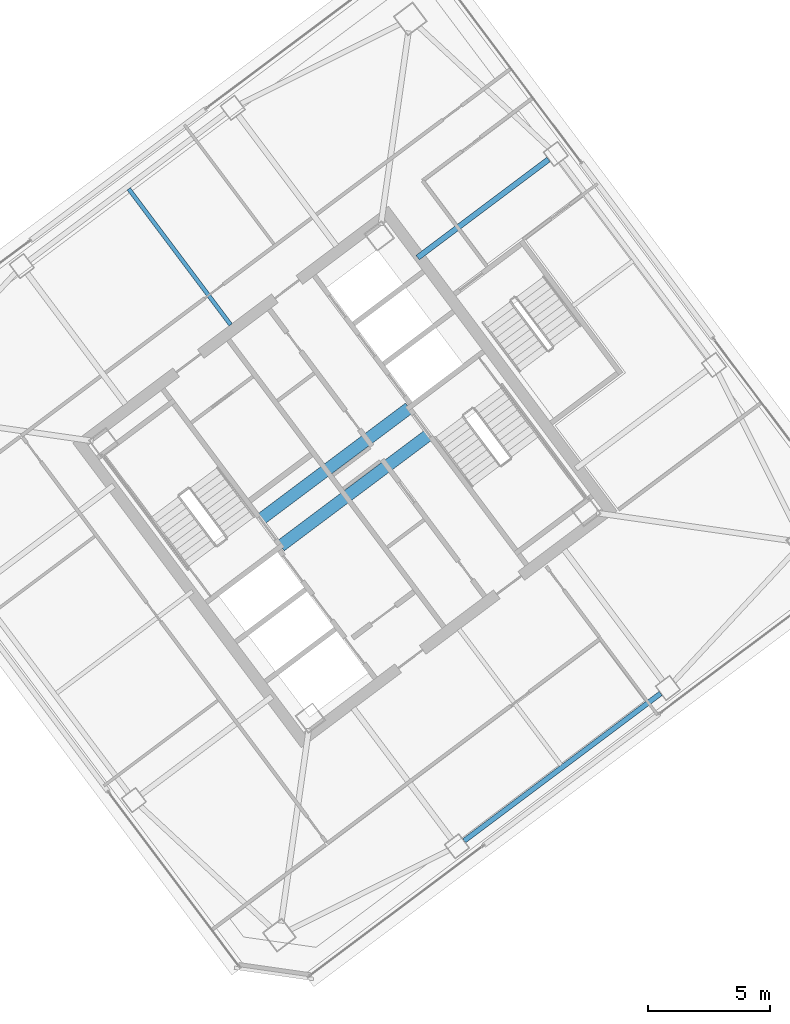
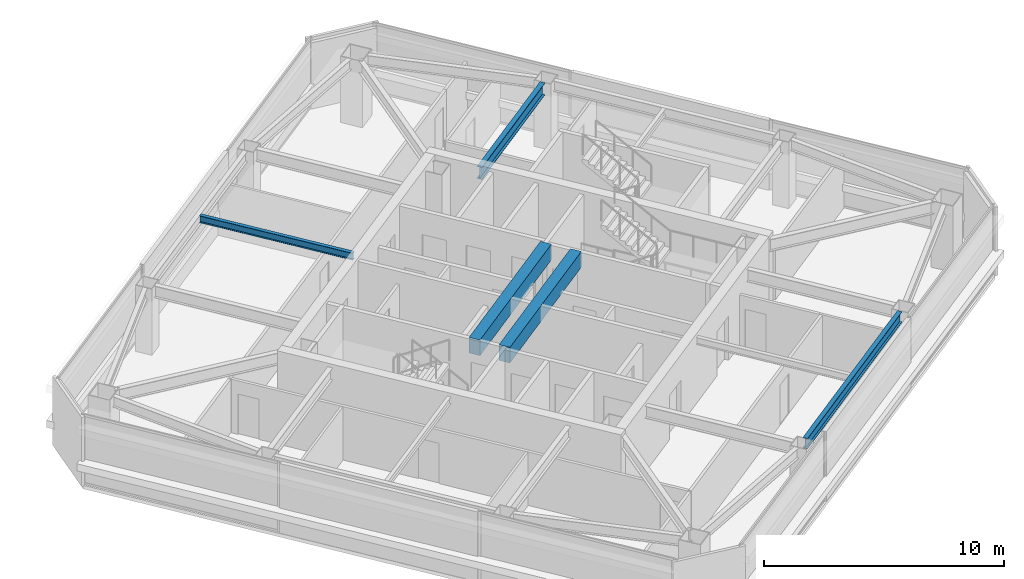
# One storey, part 22 of 39: 5 beams.
"""IFC4 building model written with IfcOpenShell, lengths in metres."""

import ifcopenshell
import ifcopenshell.guid

model = None  # the IFC model being written
_history = None  # IfcOwnerHistory: only IFC2X3 demands one
_inside = {}  # id of a spatial element -> (the spatial element, [elements in it])
_under = {}  # id of a project, library or spatial element -> (it, [spatial elements below it])
_declared = {}  # id of a project -> (the project, [libraries it declares])
_typed = {}  # id of a type object -> (the type object, [elements of that type])
_made_of = {}  # id of a material, layer set ... -> (it, [elements and type objects made of it])


def new_model(schema):
    """Start an empty IFC model of exactly this schema.

    Asked for "IFC4X3", IfcOpenShell would pick the latest addendum, in which some entities
    have other attributes; the version numbers below select the first issue.
    IFC2X3 requires an IfcOwnerHistory on every rooted entity: one is made here for all.
    """
    global model, _history
    if schema == "IFC4X3":
        model = ifcopenshell.file(schema_version=(4, 3, 0, 0))
    else:
        model = ifcopenshell.file(schema=schema)
    _inside.clear()
    _under.clear()
    _declared.clear()
    _typed.clear()
    _made_of.clear()
    _history = None
    if model.schema == "IFC2X3":
        org = make("IfcOrganization", Name="unknown")
        user = make(
            "IfcPersonAndOrganization",
            ThePerson=make("IfcPerson", FamilyName="unknown"),
            TheOrganization=org,
        )
        app = make(
            "IfcApplication",
            ApplicationDeveloper=org,
            Version="unknown",
            ApplicationFullName="unknown",
            ApplicationIdentifier="unknown",
        )
        _history = make(
            "IfcOwnerHistory",
            OwningUser=user,
            OwningApplication=app,
            ChangeAction="ADDED",
            CreationDate=0,
        )
    return model


def make(cls, **values):
    """One entity of the class cls with the attributes given. An attribute that is None is left unset."""
    return model.create_entity(
        cls, **{name: value for name, value in values.items() if value is not None}
    )


def rooted(cls, **values):
    """An entity with a GlobalId (a new one), such as an element, a storey or a relation."""
    return make(cls, GlobalId=ifcopenshell.guid.new(), OwnerHistory=_history, **values)


def si_unit(unit_type, name, prefix=None):
    """IfcSIUnit, for example si_unit("LENGTHUNIT", "METRE", prefix="MILLI")."""
    return make("IfcSIUnit", UnitType=unit_type, Prefix=prefix, Name=name)


def assignment(units):
    """IfcUnitAssignment: the units of a project."""
    return None if units is None else make("IfcUnitAssignment", Units=units)


def point(xyz):
    """IfcCartesianPoint."""
    return None if xyz is None else make("IfcCartesianPoint", Coordinates=xyz)


def direction(xyz):
    """IfcDirection."""
    return None if xyz is None else make("IfcDirection", DirectionRatios=xyz)


def frame(location, z_axis=None, x_axis=None):
    """IfcAxis2Placement3D, a coordinate frame: its origin and axes. An axis left out is left unset."""
    return make(
        "IfcAxis2Placement3D",
        Location=point(location),
        Axis=direction(z_axis),
        RefDirection=direction(x_axis),
    )


def frame_2d(location, x_axis=None):
    """IfcAxis2Placement2D, a coordinate frame in the plane: its origin and x axis."""
    return make(
        "IfcAxis2Placement2D", Location=point(location), RefDirection=direction(x_axis)
    )


def origin():
    """The frame at (0, 0, 0) with its axes left unset."""
    return frame((0.0, 0.0, 0.0))


def origin_2d():
    """The frame at (0, 0) in the plane with its x axis left unset."""
    return frame_2d((0.0, 0.0))


def place(relative_to, where):
    """IfcLocalPlacement: puts the frame where relative to a parent placement (None: the world)."""
    return make(
        "IfcLocalPlacement", PlacementRelTo=relative_to, RelativePlacement=where
    )


def context(
    kind, dimensions, precision=None, world=None, true_north=None, identifier=None
):
    """IfcGeometricRepresentationContext, for example the 3D "Model" context."""
    return make(
        "IfcGeometricRepresentationContext",
        ContextIdentifier=identifier,
        ContextType=kind,
        CoordinateSpaceDimension=dimensions,
        Precision=precision,
        WorldCoordinateSystem=world,
        TrueNorth=true_north,
    )


def subcontext(parent, identifier, kind, view, scale=None):
    """IfcGeometricRepresentationSubContext, for example "Body" below "Model"."""
    return make(
        "IfcGeometricRepresentationSubContext",
        ContextIdentifier=identifier,
        ContextType=kind,
        ParentContext=parent,
        TargetScale=scale,
        TargetView=view,
    )


def project(units=None, contexts=None):
    """IfcProject with its units and contexts."""
    return rooted(
        "IfcProject",
        Name="project",
        RepresentationContexts=contexts,
        UnitsInContext=assignment(units),
    )


def spatial(cls, under=None, at=None, **own):
    """A site, building, storey or space (cls), placed at a placement, below another one or the project."""
    s = rooted(cls, ObjectPlacement=at, **own)
    if under is not None:
        _under.setdefault(under.id(), (under, []))[1].append(s)
    return s


def profile(cls, at=None, kind="AREA", **sizes):
    """A parametric profile (cls). Its sizes go by their IFC names, for example OverallWidth=200.0."""
    return make(cls, ProfileType=kind, Position=at, **sizes)


def rectangle(**sizes):
    """IfcRectangleProfileDef."""
    return profile("IfcRectangleProfileDef", **sizes)


def i_section(**sizes):
    """IfcIShapeProfileDef."""
    return profile("IfcIShapeProfileDef", **sizes)


def extrude(swept, where, along, depth):
    """IfcExtrudedAreaSolid: the profile swept, set in the frame where, extruded along a direction by depth."""
    return make(
        "IfcExtrudedAreaSolid",
        SweptArea=swept,
        Position=where,
        ExtrudedDirection=direction(along),
        Depth=depth,
    )


def shape(context_of_items, identifier, shape_type, items):
    """IfcShapeRepresentation: the items that make up one representation, for example the "Body"."""
    return make(
        "IfcShapeRepresentation",
        ContextOfItems=context_of_items,
        RepresentationIdentifier=identifier,
        RepresentationType=shape_type,
        Items=items,
    )


def material(Name=None, Category=None):
    """IfcMaterial."""
    return make("IfcMaterial", Name=Name, Category=Category)


def material_profile(
    of_material, cross_section, Name=None, Category=None, Priority=None
):
    """IfcMaterialProfile: a cross section and its material."""
    return make(
        "IfcMaterialProfile",
        Name=Name,
        Material=of_material,
        Profile=cross_section,
        Priority=Priority,
        Category=Category,
    )


def profile_set(profiles, Name=None, composite=None):
    """IfcMaterialProfileSet."""
    return make(
        "IfcMaterialProfileSet",
        Name=Name,
        MaterialProfiles=profiles,
        CompositeProfile=composite,
    )


def made_of(thing, what):
    """Note that an element or type object is made of a material, layer set ...; save() writes the relation."""
    if what is not None:
        _made_of.setdefault(what.id(), (what, []))[1].append(thing)
    return thing


def type_object(cls, material=None, **own):
    """A type object (cls), such as IfcWallType, which elements share."""
    return made_of(rooted(cls, **own), material)


def element(
    cls,
    number,
    at=None,
    inside=None,
    cuts=None,
    type_object=None,
    material=None,
    context=None,
    identifier="Body",
    shape_type=None,
    held_by="IfcProductDefinitionShape",
    body=None,
    shapes=None,
    **own,
):
    """One element of the class cls, such as IfcWall. Its Tag is "e" and its number.

    at: its placement. inside: the storey or other place that contains it. cuts: it is an
    opening in that element (IfcRelVoidsElement). A single representation is given by context,
    identifier, shape_type and body (its items); several are given by shapes. held_by: the class
    of the entity that holds the representations. save() writes the other relations.
    """
    e = rooted(cls, Tag="e%d" % number, ObjectPlacement=at, **own)
    if body is not None:
        shapes = [shape(context, identifier, shape_type, body)]
    if shapes is not None:
        e.Representation = make(held_by, Representations=shapes)
    if inside is not None:
        _inside.setdefault(inside.id(), (inside, []))[1].append(e)
    if cuts is not None:
        rooted(
            "IfcRelVoidsElement", RelatingBuildingElement=cuts, RelatedOpeningElement=e
        )
    if type_object is not None:
        _typed.setdefault(type_object.id(), (type_object, []))[1].append(e)
    return made_of(e, material)


def aggregate(whole, parts):
    """IfcRelAggregates: a whole, such as a stair, and the parts it consists of."""
    return rooted("IfcRelAggregates", RelatingObject=whole, RelatedObjects=parts)


def save(model, path):
    """Write the relations noted so far, then the file.

    IfcRelAggregates (storeys below a building ...), IfcRelContainedInSpatialStructure (elements
    in a storey), IfcRelDefinesByType, IfcRelAssociatesMaterial and IfcRelDeclares: one each for
    every whole, place, type object, material and project.
    """
    for whole, parts in _under.values():
        aggregate(whole, parts)
    for where, things in _inside.values():
        rooted(
            "IfcRelContainedInSpatialStructure",
            RelatedElements=things,
            RelatingStructure=where,
        )
    for kind, things in _typed.values():
        rooted("IfcRelDefinesByType", RelatedObjects=things, RelatingType=kind)
    for what, things in _made_of.values():
        rooted("IfcRelAssociatesMaterial", RelatedObjects=things, RelatingMaterial=what)
    for by, libraries in _declared.values():
        rooted("IfcRelDeclares", RelatingContext=by, RelatedDefinitions=libraries)
    model.write(path)


model = new_model("IFC4")

# Units and contexts
model_context = context("Model", 3, precision=1e-05, world=origin(), true_north=direction((0.0, 1.0)))
body_context = subcontext(model_context, "Body", "Model", "MODEL_VIEW")
ifc_project = project(units=[si_unit("LENGTHUNIT", "METRE"), si_unit("AREAUNIT", "SQUARE_METRE"), si_unit("VOLUMEUNIT", "CUBIC_METRE"), si_unit("PLANEANGLEUNIT", "RADIAN"), si_unit("MASSUNIT", "GRAM", prefix="KILO")], contexts=[model_context])

# Site, building, storey
site_placement = place(None, origin())
site = spatial("IfcSite", under=ifc_project, at=site_placement, CompositionType="ELEMENT")
building_placement = place(site_placement, origin())
building = spatial("IfcBuilding", under=site, at=building_placement, Name="Tashvorn Skyway Center", CompositionType="ELEMENT")
storey_placement = place(building_placement, frame((0.0, 0.0, 207.75)))
storey = spatial("IfcBuildingStorey", under=building, at=storey_placement, Name="L56", CompositionType="ELEMENT", Elevation=207.75)

# Beams
ifc_material_1 = material(Name="Steel ASTM A992 Grade 50", Category="steel")
ifc_material_profile_1 = material_profile(ifc_material_1, i_section(OverallWidth=0.22998046875, OverallDepth=0.616943359375, WebThickness=0.01318359375, FlangeThickness=0.022216796875, at=origin_2d()), Name="W24X94")
ifc_profile_set_1 = profile_set([ifc_material_profile_1], Name="Steel ASTM A992 Grade 50")
beam_type_1 = type_object("IfcBeamType", Name="BM-BEAM-W24X94", PredefinedType="BEAM", material=ifc_profile_set_1)
beam_1_placement = place(storey_placement, frame((122.343994140625, 45.008056640625, 3.0615234375), z_axis=(-0.800004372583, -0.599994169845, 0.0), x_axis=(0.599994169845, -0.800004372583, 0.0)))
element("IfcBeam", 1, at=beam_1_placement, inside=storey, type_object=beam_type_1, Name="Tower 2 L56 Primary Floor Girder FC-E2", PredefinedType="BEAM", context=body_context, shape_type="SweptSolid", body=[
    extrude(i_section(OverallWidth=0.22998046875, OverallDepth=0.616943359375, WebThickness=0.01318359375, FlangeThickness=0.022216796875, at=origin_2d()), origin(), (0.0, 0.0, 1.0), 6.7001953125),
])
ifc_material_profile_2 = material_profile(ifc_material_1, i_section(OverallWidth=0.1708984375, OverallDepth=0.35498046875, WebThickness=0.007080078125, FlangeThickness=0.01171875, at=origin_2d()), Name="W14X34")
ifc_profile_set_2 = profile_set([ifc_material_profile_2], Name="Steel ASTM A992 Grade 50")
beam_type_2 = type_object("IfcBeamType", Name="BM-JOIST-W14X34", PredefinedType="JOIST", material=ifc_profile_set_2)
beam_2_placement = place(storey_placement, frame((109.325927734375, 38.23193359375, 3.1923828125), z_axis=(-0.599994389612, 0.800004207761, 0.0), x_axis=(-0.800004207761, -0.599994389612, 0.0)))
element("IfcBeam", 2, at=beam_2_placement, inside=storey, type_object=beam_type_2, Name="Tower 2 L56 Secondary Composite Joist JN", PredefinedType="JOIST", context=body_context, shape_type="SweptSolid", body=[
    extrude(i_section(OverallWidth=0.1708984375, OverallDepth=0.35498046875, WebThickness=0.007080078125, FlangeThickness=0.01171875, at=origin_2d()), origin(), (0.0, 0.0, 1.0), 6.962646484375),
])
ifc_material_2 = material(Name="Concrete C50/60", Category="concrete")
ifc_material_profile_3 = material_profile(ifc_material_2, rectangle(XDim=0.5, YDim=0.800048828125, at=origin_2d()), Name="RCB500x800")
ifc_profile_set_3 = profile_set([ifc_material_profile_3], Name="Concrete C50/60")
beam_type_3 = type_object("IfcBeamType", Name="BM-LINTEL-RCB500x800", PredefinedType="LINTEL", material=ifc_profile_set_3)
for number, where, z_axis, x_axis, name in (
    (3, (110.552001953125, 30.263916015625, 2.969970703125), (0.8, 0.6, 0.0), (-0.6, 0.8, 0.0), "Tower 2 L56 Core Coupling Beam CN"),
    (4, (111.367919921875, 29.176025390625, 2.969970703125), (0.8, 0.6, 0.0), (-0.6, 0.8, 0.0), "Tower 2 L56 Core Coupling Beam CS"),
):
    element("IfcBeam", number, at=place(storey_placement, frame(where, z_axis=z_axis, x_axis=x_axis)), inside=storey, type_object=beam_type_3, Name=name, PredefinedType="LINTEL", context=body_context, shape_type="SweptSolid", body=[
        extrude(rectangle(XDim=0.5, YDim=0.800048828125, at=origin_2d()), origin(), (0.0, 0.0, 1.0), 7.60009765625),
    ])
ifc_material_profile_4 = material_profile(ifc_material_1, i_section(OverallWidth=0.2109375, OverallDepth=0.5390625, WebThickness=0.01171875, FlangeThickness=0.018798828125, at=origin_2d()), Name="W21X73")
ifc_profile_set_4 = profile_set([ifc_material_profile_4], Name="Steel ASTM A992 Grade 50")
beam_type_4 = type_object("IfcBeamType", Name="BM-SPANDREL-W21X73", PredefinedType="SPANDREL", material=ifc_profile_set_4)
beam_3_placement = place(storey_placement, frame((118.885986328125, 17.10205078125, 3.1005859375), z_axis=(0.800008736549, 0.599988351091, 0.0), x_axis=(-0.599988351091, 0.800008736549, 0.0)))
element("IfcBeam", 5, at=beam_3_placement, inside=storey, type_object=beam_type_4, Name="Tower 2 L56 Spandrel Beam 02", PredefinedType="SPANDREL", context=body_context, shape_type="SweptSolid", body=[
    extrude(i_section(OverallWidth=0.2109375, OverallDepth=0.5390625, WebThickness=0.01171875, FlangeThickness=0.018798828125, at=origin_2d()), origin(), (0.0, 0.0, 1.0), 10.06005859375),
])

save(model, "model.ifc")
